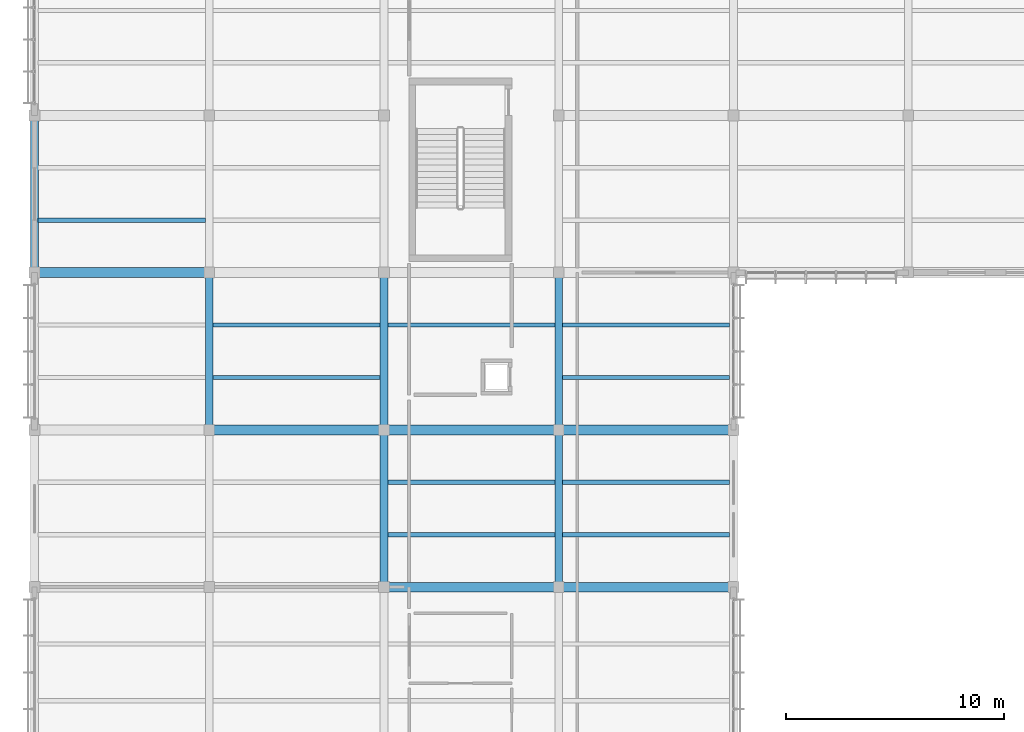
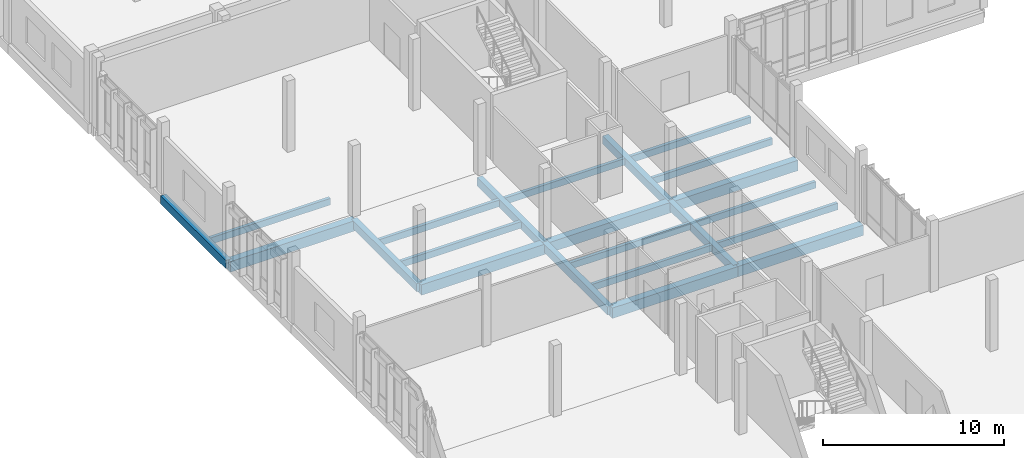
# One storey, part 62 of 177: 22 beams.
"""IFC4 building model written with IfcOpenShell, lengths in metres."""

from ifc_helpers import new_model, si_unit, direction, frame, origin, origin_2d, place, context, subcontext, project, spatial, rectangle, extrude, material, material_profile, profile_set, type_object, element, save


model = new_model("IFC4")

# Units and contexts
model_context = context("Model", 3, precision=1e-05, world=origin(), true_north=direction((0.0, 1.0)))
body_context = subcontext(model_context, "Body", "Model", "MODEL_VIEW")
ifc_project = project(units=[si_unit("LENGTHUNIT", "METRE"), si_unit("AREAUNIT", "SQUARE_METRE"), si_unit("VOLUMEUNIT", "CUBIC_METRE"), si_unit("PLANEANGLEUNIT", "RADIAN"), si_unit("MASSUNIT", "GRAM", prefix="KILO")], contexts=[model_context])

# Site, building, storey
site_placement = place(None, origin())
site = spatial("IfcSite", under=ifc_project, at=site_placement, CompositionType="ELEMENT")
building_placement = place(site_placement, origin())
building = spatial("IfcBuilding", under=site, at=building_placement, Name="Chiffa Square Polytechnic", CompositionType="ELEMENT")
storey_placement = place(building_placement, frame((0.0, 0.0, 4.800048828125)))
storey = spatial("IfcBuildingStorey", under=building, at=storey_placement, Name="L01", CompositionType="ELEMENT", Elevation=4.800048828125)

# Beams
ifc_material_1 = material(Name="Concrete C35/45", Category="concrete")
ifc_material_profile_1 = material_profile(ifc_material_1, rectangle(XDim=0.35009765625, YDim=0.550048828125, at=origin_2d()), Name="RC 350x550")
ifc_profile_set_1 = profile_set([ifc_material_profile_1], Name="Concrete C35/45")
beam_type_1 = type_object("IfcBeamType", Name="BM-RC-350X550", PredefinedType="BEAM", material=ifc_profile_set_1)
for number, where, z_axis, x_axis, name in (
    (1, (0.0, 79.800048828125, -0.554931640625), (0.0, 1.0, 0.0), (-1.0, 0.0, 0.0), "Primary floor girder BM-V6-L01-Y-0000-0798"),
    (2, (8.0, 72.60009765625, -0.554931640625), (0.0, 1.0, 0.0), (-1.0, 0.0, 0.0), "Primary floor girder BM-V6-L01-Y-0080-0726"),
):
    element("IfcBeam", number, at=place(storey_placement, frame(where, z_axis=z_axis, x_axis=x_axis)), inside=storey, type_object=beam_type_1, Name=name, PredefinedType="BEAM", context=body_context, shape_type="SweptSolid", body=[
        extrude(rectangle(XDim=0.35009765625, YDim=0.550048828125, at=origin_2d()), origin(), (0.0, 0.0, 1.0), 7.199951171875),
    ])
beam_1_placement = place(storey_placement, frame((16.0, 65.39990234375, -0.554931640625), z_axis=(0.0, 1.0, 0.0), x_axis=(-1.0, 0.0, 0.0)))
element("IfcBeam", 3, at=beam_1_placement, inside=storey, type_object=beam_type_1, Name="Primary floor girder BM-V6-L01-Y-0160-0654", PredefinedType="BEAM", context=body_context, shape_type="SweptSolid", body=[
    extrude(rectangle(XDim=0.35009765625, YDim=0.550048828125, at=origin_2d()), origin(), (0.0, 0.0, 1.0), 7.2001953125),
])
beam_2_placement = place(storey_placement, frame((16.0, 72.60009765625, -0.554931640625), z_axis=(0.0, 1.0, 0.0), x_axis=(-1.0, 0.0, 0.0)))
element("IfcBeam", 4, at=beam_2_placement, inside=storey, type_object=beam_type_1, Name="Primary floor girder BM-V6-L01-Y-0160-0726", PredefinedType="BEAM", context=body_context, shape_type="SweptSolid", body=[
    extrude(rectangle(XDim=0.35009765625, YDim=0.550048828125, at=origin_2d()), origin(), (0.0, 0.0, 1.0), 7.199951171875),
])
beam_3_placement = place(storey_placement, frame((24.0, 65.39990234375, -0.554931640625), z_axis=(0.0, 1.0, 0.0), x_axis=(-1.0, 0.0, 0.0)))
element("IfcBeam", 5, at=beam_3_placement, inside=storey, type_object=beam_type_1, Name="Primary floor girder BM-V6-L01-Y-0240-0654", PredefinedType="BEAM", context=body_context, shape_type="SweptSolid", body=[
    extrude(rectangle(XDim=0.35009765625, YDim=0.550048828125, at=origin_2d()), origin(), (0.0, 0.0, 1.0), 7.2001953125),
])
beam_4_placement = place(storey_placement, frame((24.0, 72.60009765625, -0.554931640625), z_axis=(0.0, 1.0, 0.0), x_axis=(-1.0, 0.0, 0.0)))
element("IfcBeam", 6, at=beam_4_placement, inside=storey, type_object=beam_type_1, Name="Primary floor girder BM-V6-L01-Y-0240-0726", PredefinedType="BEAM", context=body_context, shape_type="SweptSolid", body=[
    extrude(rectangle(XDim=0.35009765625, YDim=0.550048828125, at=origin_2d()), origin(), (0.0, 0.0, 1.0), 7.199951171875),
])
ifc_material_profile_2 = material_profile(ifc_material_1, rectangle(XDim=0.449951171875, YDim=0.699951171875, at=origin_2d()), Name="RC 450x700")
ifc_profile_set_2 = profile_set([ifc_material_profile_2], Name="Concrete C35/45")
beam_type_2 = type_object("IfcBeamType", Name="BM-RC-450X700", PredefinedType="BEAM", material=ifc_profile_set_2)
for number, where, z_axis, x_axis, name in (
    (7, (16.0, 65.39990234375, -0.630126953125), (1.0, 0.0, 0.0), (0.0, 1.0, 0.0), "Primary floor girder BM-V6-L01-X-0160-0654"),
    (8, (24.0, 65.39990234375, -0.630126953125), (1.0, 0.0, 0.0), (0.0, 1.0, 0.0), "Primary floor girder BM-V6-L01-X-0240-0654"),
    (9, (8.0, 72.60009765625, -0.630126953125), (1.0, 0.0, 0.0), (0.0, 1.0, 0.0), "Primary floor girder BM-V6-L01-X-0080-0726"),
    (10, (16.0, 72.60009765625, -0.630126953125), (1.0, 0.0, 0.0), (0.0, 1.0, 0.0), "Primary floor girder BM-V6-L01-X-0160-0726"),
    (11, (24.0, 72.60009765625, -0.630126953125), (1.0, 0.0, 0.0), (0.0, 1.0, 0.0), "Primary floor girder BM-V6-L01-X-0240-0726"),
    (12, (0.0, 79.800048828125, -0.630126953125), (1.0, 0.0, 0.0), (0.0, 1.0, 0.0), "Primary floor girder BM-V6-L01-X-0000-0798"),
):
    element("IfcBeam", number, at=place(storey_placement, frame(where, z_axis=z_axis, x_axis=x_axis)), inside=storey, type_object=beam_type_2, Name=name, PredefinedType="BEAM", context=body_context, shape_type="SweptSolid", body=[
        extrude(rectangle(XDim=0.449951171875, YDim=0.699951171875, at=origin_2d()), origin(), (0.0, 0.0, 1.0), 8.0),
    ])
ifc_material_2 = material(Name="Glulam GL28h", Category="wood")
ifc_material_profile_3 = material_profile(ifc_material_2, rectangle(XDim=0.199951171875, YDim=0.43994140625, at=origin_2d()), Name="GL28h 200x440")
ifc_profile_set_3 = profile_set([ifc_material_profile_3], Name="Glulam GL28h")
beam_type_3 = type_object("IfcBeamType", Name="JST-GL-200X440", PredefinedType="JOIST", material=ifc_profile_set_3)
for number, where, z_axis, x_axis, name in (
    (13, (0.173095703125, 82.199951171875, -0.5), (1.0, 0.0, 0.0), (0.0, 1.0, 0.0), "Secondary floor joist JST-V6-L01-0000-0822"),
    (14, (8.173095703125, 75.0, -0.5), (1.0, 0.0, 0.0), (0.0, 1.0, 0.0), "Secondary floor joist JST-V6-L01-0080-0750"),
    (15, (8.173095703125, 77.39990234375, -0.5), (1.0, 0.0, 0.0), (0.0, 1.0, 0.0), "Secondary floor joist JST-V6-L01-0080-0774"),
    (16, (16.173095703125, 67.800048828125, -0.5), (1.0, 0.0, 0.0), (0.0, 1.0, 0.0), "Secondary floor joist JST-V6-L01-0160-0678"),
    (17, (16.173095703125, 70.199951171875, -0.5), (1.0, 0.0, 0.0), (0.0, 1.0, 0.0), "Secondary floor joist JST-V6-L01-0160-0702"),
    (18, (16.173095703125, 77.39990234375, -0.5), (1.0, 0.0, 0.0), (0.0, 1.0, 0.0), "Secondary floor joist JST-V6-L01-0160-0774"),
    (19, (24.173095703125, 67.800048828125, -0.5), (1.0, 0.0, 0.0), (0.0, 1.0, 0.0), "Secondary floor joist JST-V6-L01-0240-0678"),
    (20, (24.173095703125, 70.199951171875, -0.5), (1.0, 0.0, 0.0), (0.0, 1.0, 0.0), "Secondary floor joist JST-V6-L01-0240-0702"),
    (21, (24.173095703125, 75.0, -0.5), (1.0, 0.0, 0.0), (0.0, 1.0, 0.0), "Secondary floor joist JST-V6-L01-0240-0750"),
    (22, (24.173095703125, 77.39990234375, -0.5), (1.0, 0.0, 0.0), (0.0, 1.0, 0.0), "Secondary floor joist JST-V6-L01-0240-0774"),
):
    element("IfcBeam", number, at=place(storey_placement, frame(where, z_axis=z_axis, x_axis=x_axis)), inside=storey, type_object=beam_type_3, Name=name, PredefinedType="JOIST", context=body_context, shape_type="SweptSolid", body=[
        extrude(rectangle(XDim=0.199951171875, YDim=0.43994140625, at=origin_2d()), origin(), (0.0, 0.0, 1.0), 7.65380859375),
    ])

save(model, "model.ifc")
